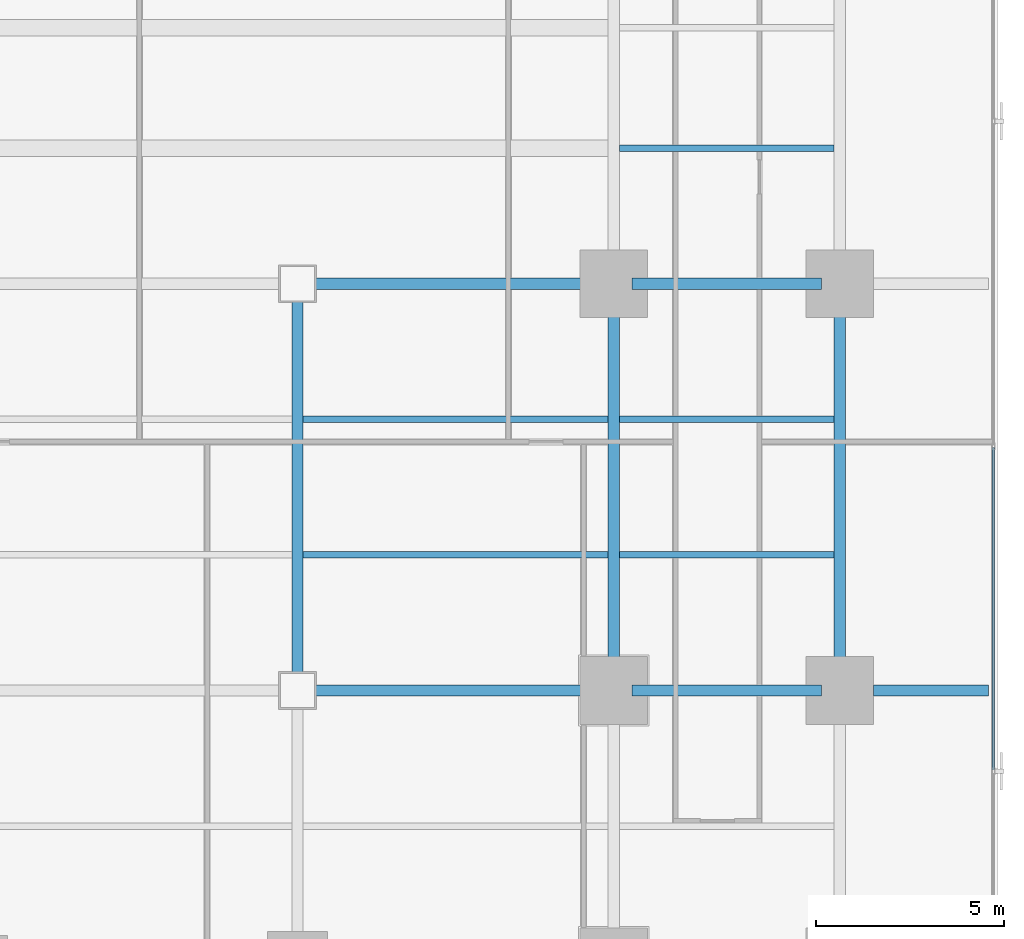
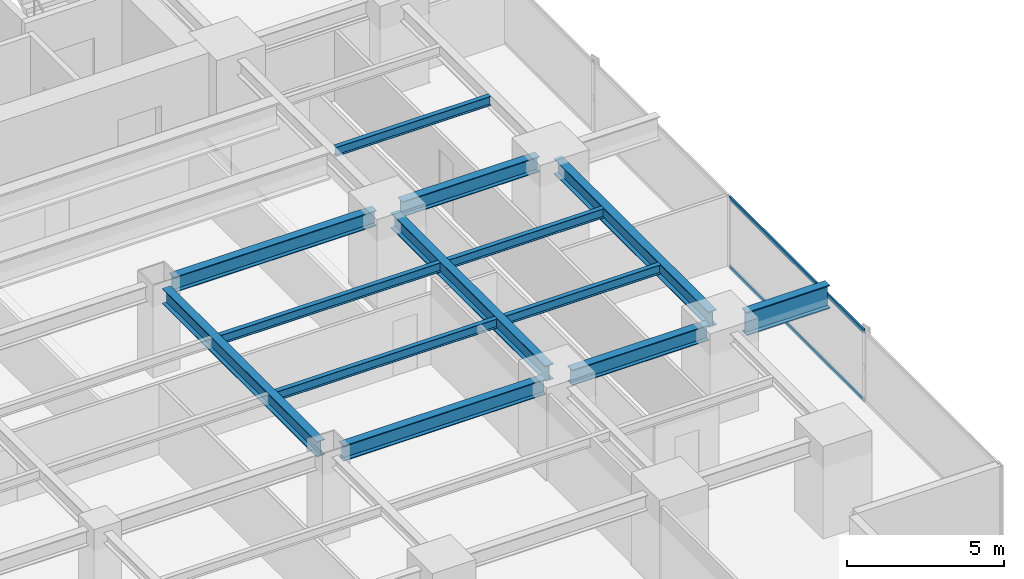
# One storey, part 14 of 33: 13 beams, 2 members, 1 element without a shape of its own.
"""IFC4 building model written with IfcOpenShell, lengths in metres."""

from ifc_helpers import new_model, si_unit, direction, frame, origin, origin_2d, place, context, subcontext, project, spatial, hollow_rectangle, i_section, extrude, source, transform, mapped, material, layer, layer_set, material_profile, profile_set, type_object, element, aggregate, save


model = new_model("IFC4")

# Units and contexts
model_context = context("Model", 3, precision=1e-05, world=origin(), true_north=direction((0.0, 1.0)))
body_context = subcontext(model_context, "Body", "Model", "MODEL_VIEW")
ifc_project = project(units=[si_unit("LENGTHUNIT", "METRE"), si_unit("AREAUNIT", "SQUARE_METRE"), si_unit("VOLUMEUNIT", "CUBIC_METRE"), si_unit("PLANEANGLEUNIT", "RADIAN"), si_unit("MASSUNIT", "GRAM", prefix="KILO")], contexts=[model_context])

# Site, building, storey
site_placement = place(None, origin())
site = spatial("IfcSite", under=ifc_project, at=site_placement, CompositionType="ELEMENT")
building_placement = place(site_placement, origin())
building = spatial("IfcBuilding", under=site, at=building_placement, Name="Sumidabori Civic Tower", CompositionType="ELEMENT")
storey_placement = place(building_placement, frame((0.0, 0.0, 30.800048828125)))
storey = spatial("IfcBuildingStorey", under=building, at=storey_placement, Name="L07", CompositionType="ELEMENT", Elevation=30.800048828125)

# Beams
ifc_material_1 = material(Name="Steel SN490", Category="steel")
ifc_material_profile_1 = material_profile(ifc_material_1, i_section(OverallWidth=0.300048828125, OverallDepth=0.60009765625, WebThickness=0.015380859375, FlangeThickness=0.030029296875, at=origin_2d()), Name="HE 600 B")
ifc_profile_set_1 = profile_set([ifc_material_profile_1], Name="Steel SN490")
beam_type_1 = type_object("IfcBeamType", Name="BM-GIRD-600", PredefinedType="BEAM", material=ifc_profile_set_1)
shared_shape_1 = source(origin(), body_context, "Body", "SweptSolid", [
    extrude(i_section(OverallWidth=0.300048828125, OverallDepth=0.60009765625, WebThickness=0.015380859375, FlangeThickness=0.030029296875, at=origin_2d()), origin(), (0.0, 0.0, 1.0), 5.0400390625),
])
for number, where, z_axis, x_axis, name in (
    (1, (17.280029296875, -10.800048828125, 3.06005859375), (1.0, 0.0, 0.0), (0.0, 1.0, 0.0), "Primary Girder L07 GX-12"),
    (2, (17.280029296875, 0.0, 3.06005859375), (1.0, 0.0, 0.0), (0.0, 1.0, 0.0), "Primary Girder L07 GX-18"),
):
    element("IfcBeam", number, at=place(storey_placement, frame(where, z_axis=z_axis, x_axis=x_axis)), inside=storey, type_object=beam_type_1, Name=name, PredefinedType="BEAM", context=body_context, shape_type="MappedRepresentation", body=[
        mapped(shared_shape_1, transform((0.0, 0.0, 0.0), x_axis=(1.0, 0.0, 0.0), y_axis=(0.0, 1.0, 0.0), z_axis=(0.0, 0.0, 1.0), scale=1.0)),
    ])
shared_shape_2 = source(origin(), body_context, "Body", "SweptSolid", [
    extrude(i_section(OverallWidth=0.300048828125, OverallDepth=0.60009765625, WebThickness=0.015380859375, FlangeThickness=0.030029296875, at=origin_2d()), origin(), (0.0, 0.0, 1.0), 7.440185546875),
])
for number, where, z_axis, x_axis, name in (
    (3, (8.8798828125, -10.800048828125, 3.06005859375), (1.0, 0.0, 0.0), (0.0, 1.0, 0.0), "Primary Girder L07 GX-11"),
    (4, (8.8798828125, 0.0, 3.06005859375), (1.0, 0.0, 0.0), (0.0, 1.0, 0.0), "Primary Girder L07 GX-17"),
):
    element("IfcBeam", number, at=place(storey_placement, frame(where, z_axis=z_axis, x_axis=x_axis)), inside=storey, type_object=beam_type_1, Name=name, PredefinedType="BEAM", context=body_context, shape_type="MappedRepresentation", body=[
        mapped(shared_shape_2, transform((0.0, 0.0, 0.0), x_axis=(1.0, 0.0, 0.0), y_axis=(0.0, 1.0, 0.0), z_axis=(0.0, 0.0, 1.0), scale=1.0)),
    ])
shared_shape_3 = source(origin(), body_context, "Body", "SweptSolid", [
    extrude(i_section(OverallWidth=0.300048828125, OverallDepth=0.60009765625, WebThickness=0.015380859375, FlangeThickness=0.030029296875, at=origin_2d()), origin(), (0.0, 0.0, 1.0), 9.840087890625),
])
for number, where, z_axis, x_axis, name in (
    (5, (8.39990234375, -10.320068359375, 3.06005859375), (0.0, 1.0, 0.0), (-1.0, 0.0, 0.0), "Primary Girder L07 GY-34"),
    (6, (16.800048828125, -10.320068359375, 3.06005859375), (0.0, 1.0, 0.0), (-1.0, 0.0, 0.0), "Primary Girder L07 GY-36"),
    (7, (22.800048828125, -10.320068359375, 3.06005859375), (0.0, 1.0, 0.0), (-1.0, 0.0, 0.0), "Primary Girder L07 GY-40"),
):
    element("IfcBeam", number, at=place(storey_placement, frame(where, z_axis=z_axis, x_axis=x_axis)), inside=storey, type_object=beam_type_1, Name=name, PredefinedType="BEAM", context=body_context, shape_type="MappedRepresentation", body=[
        mapped(shared_shape_3, transform((0.0, 0.0, 0.0), x_axis=(1.0, 0.0, 0.0), y_axis=(0.0, 1.0, 0.0), z_axis=(0.0, 0.0, 1.0), scale=1.0)),
    ])
ifc_material_profile_2 = material_profile(ifc_material_1, i_section(OverallWidth=0.302001953125, OverallDepth=0.909912109375, WebThickness=0.02099609375, FlangeThickness=0.0400390625, at=origin_2d()), Name="HE 900 M")
ifc_profile_set_2 = profile_set([ifc_material_profile_2], Name="Steel SN490")
beam_type_2 = type_object("IfcBeamType", Name="BM-Z1-EDGE", PredefinedType="SPANDREL", material=ifc_profile_set_2)
shared_shape_4 = source(origin(), body_context, "Body", "SweptSolid", [
    extrude(i_section(OverallWidth=0.302001953125, OverallDepth=0.909912109375, WebThickness=0.02099609375, FlangeThickness=0.0400390625, at=origin_2d()), origin(), (0.0, 0.0, 1.0), 3.050048828125),
])
beam_placement = place(storey_placement, frame((23.699951171875, -10.800048828125, 2.905029296875), z_axis=(1.0, 0.0, 0.0), x_axis=(0.0, 1.0, 0.0)))
element("IfcBeam", 8, at=beam_placement, inside=storey, type_object=beam_type_2, Name="Perimeter Overhang Beam L07 E-43", PredefinedType="SPANDREL", context=body_context, shape_type="MappedRepresentation", body=[
    mapped(shared_shape_4, transform((0.0, 0.0, 0.0), x_axis=(1.0, 0.0, 0.0), y_axis=(0.0, 1.0, 0.0), z_axis=(0.0, 0.0, 1.0), scale=1.0)),
])
ifc_material_profile_3 = material_profile(ifc_material_1, i_section(OverallWidth=0.169921875, OverallDepth=0.360107421875, WebThickness=0.008056640625, FlangeThickness=0.0126953125, at=origin_2d()), Name="IPE 360")
ifc_profile_set_3 = profile_set([ifc_material_profile_3], Name="Steel SN490")
beam_type_3 = type_object("IfcBeamType", Name="BM-JST-360", PredefinedType="JOIST", material=ifc_profile_set_3)
shared_shape_5 = source(origin(), body_context, "Body", "SweptSolid", [
    extrude(i_section(OverallWidth=0.169921875, OverallDepth=0.360107421875, WebThickness=0.008056640625, FlangeThickness=0.0126953125, at=origin_2d()), origin(), (0.0, 0.0, 1.0), 5.699951171875),
])
for number, where, z_axis, x_axis, name in (
    (9, (16.949951171875, -7.199951171875, 3.179931640625), (1.0, 0.0, 0.0), (0.0, 1.0, 0.0), "Outer Bay Floor Joist L07 JSTO-50"),
    (10, (16.949951171875, -3.60009765625, 3.179931640625), (1.0, 0.0, 0.0), (0.0, 1.0, 0.0), "Outer Bay Floor Joist L07 JSTO-52"),
    (11, (16.949951171875, 3.60009765625, 3.179931640625), (1.0, 0.0, 0.0), (0.0, 1.0, 0.0), "Outer Bay Floor Joist L07 JSTO-54"),
):
    element("IfcBeam", number, at=place(storey_placement, frame(where, z_axis=z_axis, x_axis=x_axis)), inside=storey, type_object=beam_type_3, Name=name, PredefinedType="JOIST", context=body_context, shape_type="MappedRepresentation", body=[
        mapped(shared_shape_5, transform((0.0, 0.0, 0.0), x_axis=(1.0, 0.0, 0.0), y_axis=(0.0, 1.0, 0.0), z_axis=(0.0, 0.0, 1.0), scale=1.0)),
    ])
shared_shape_6 = source(origin(), body_context, "Body", "SweptSolid", [
    extrude(i_section(OverallWidth=0.169921875, OverallDepth=0.360107421875, WebThickness=0.008056640625, FlangeThickness=0.0126953125, at=origin_2d()), origin(), (0.0, 0.0, 1.0), 8.099853515625),
])
for number, where, z_axis, x_axis, name in (
    (12, (8.550048828125, -7.199951171875, 3.179931640625), (1.0, 0.0, 0.0), (0.0, 1.0, 0.0), "South Bay Floor Joist L07 JSTS-68"),
    (13, (8.550048828125, -3.60009765625, 3.179931640625), (1.0, 0.0, 0.0), (0.0, 1.0, 0.0), "South Bay Floor Joist L07 JSTS-72"),
):
    element("IfcBeam", number, at=place(storey_placement, frame(where, z_axis=z_axis, x_axis=x_axis)), inside=storey, type_object=beam_type_3, Name=name, PredefinedType="JOIST", context=body_context, shape_type="MappedRepresentation", body=[
        mapped(shared_shape_6, transform((0.0, 0.0, 0.0), x_axis=(1.0, 0.0, 0.0), y_axis=(0.0, 1.0, 0.0), z_axis=(0.0, 0.0, 1.0), scale=1.0)),
    ])

# Curtain wall, members
ifc_material_2 = material(Name="Anodised Bronze Aluminium AW-6063-T6", Category="aluminium")
ifc_layer = layer(ifc_material_2, 0.179931640625, Name="Anodised Bronze Aluminium AW-6063-T6")
ifc_layer_set = layer_set([ifc_layer], Name="Anodised Bronze Aluminium AW-6063-T6")
curtain_wall_type = type_object("IfcCurtainWallType", Name="CW-SYS-2", PredefinedType="NOTDEFINED", material=ifc_layer_set)
curtain_wall_placement = place(storey_placement, origin())
curtain_wall = element("IfcCurtainWall", 14, at=curtain_wall_placement, inside=storey, type_object=curtain_wall_type, Name="Curtain Wall CW:L07:R04", PredefinedType="NOTDEFINED")
ifc_material_profile_4 = material_profile(ifc_material_2, hollow_rectangle(XDim=0.06494140625, YDim=0.14990234375, WallThickness=0.0048828125, at=origin_2d()), Name="ALU TRANSOM 150x65")
ifc_profile_set_4 = profile_set([ifc_material_profile_4], Name="Anodised Bronze Aluminium AW-6063-T6")
member_type = type_object("IfcMemberType", Name="CW-TRN-150", PredefinedType="USERDEFINED", material=ifc_profile_set_4)
shared_shape_7 = source(origin(), body_context, "Body", "SweptSolid", [
    extrude(hollow_rectangle(XDim=0.06494140625, YDim=0.14990234375, WallThickness=0.0048828125, at=origin_2d()), origin(), (0.0, 0.0, 1.0), 8.557861328125),
])
member_1_placement = place(storey_placement, frame((26.8798828125, -12.906982421875, 0.032470703125), z_axis=(0.0, 1.0, 0.0), x_axis=(-1.0, 0.0, 0.0)))
member_1 = element("IfcMember", 15, at=member_1_placement, type_object=member_type, Name="CW-2 transom 2.1", ObjectType="TRANSOM", PredefinedType="USERDEFINED", context=body_context, shape_type="MappedRepresentation", body=[
    mapped(shared_shape_7, transform((0.0, 0.0, 0.0), x_axis=(1.0, 0.0, 0.0), y_axis=(0.0, 1.0, 0.0), z_axis=(0.0, 0.0, 1.0), scale=1.0)),
])
member_2_placement = place(storey_placement, frame((26.8798828125, -12.906982421875, 2.70751953125), z_axis=(0.0, 1.0, 0.0), x_axis=(-1.0, 0.0, 0.0)))
member_2 = element("IfcMember", 16, at=member_2_placement, type_object=member_type, Name="CW-2 transom 2.2", ObjectType="TRANSOM", PredefinedType="USERDEFINED", context=body_context, shape_type="MappedRepresentation", body=[
    mapped(shared_shape_7, transform((0.0, 0.0, 0.0), x_axis=(1.0, 0.0, 0.0), y_axis=(0.0, 1.0, 0.0), z_axis=(0.0, 0.0, 1.0), scale=1.0)),
])
aggregate(curtain_wall, [member_1, member_2])

save(model, "model.ifc")
